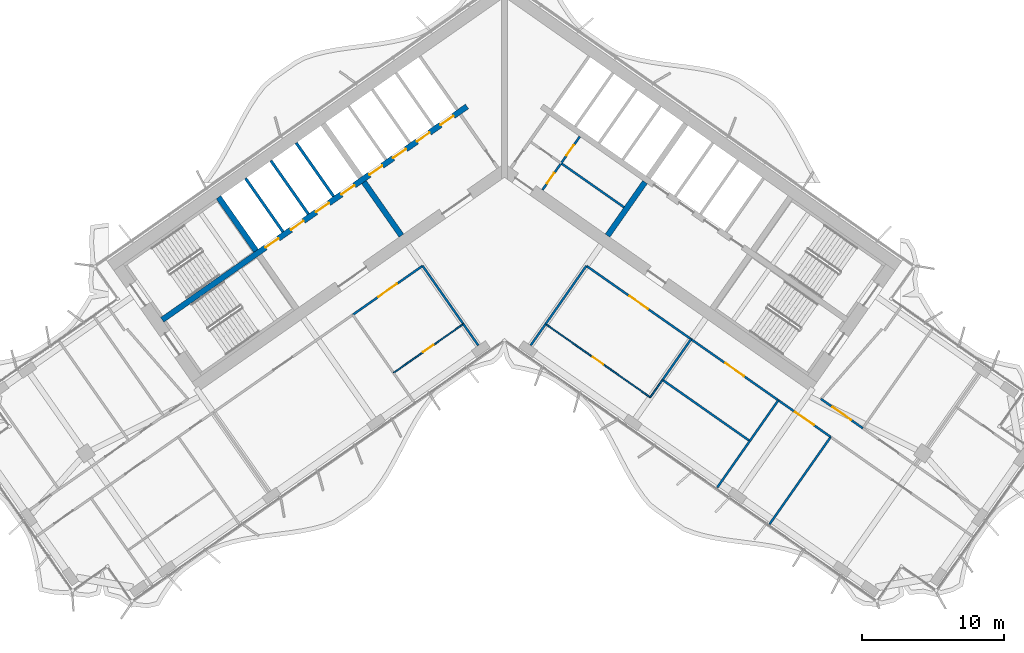
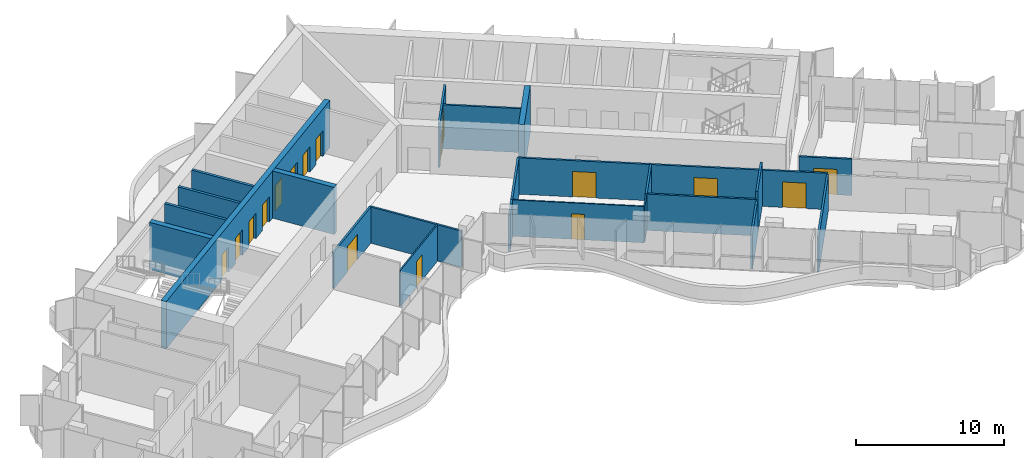
# One storey, part 15 of 23: 26 walls, 17 doors, 17 openings.
"""IFC4 building model written with IfcOpenShell, lengths in metres."""

from ifc_helpers import new_model, si_unit, direction, frame, frame_2d, origin, place, context, subcontext, project, spatial, polyline, rectangle, outline, extrude, material, layer, layer_set, type_object, element, fill, save


model = new_model("IFC4")

# Units and contexts
model_context = context("Model", 3, precision=1e-05, world=origin(), true_north=direction((0.0, 1.0)))
body_context = subcontext(model_context, "Body", "Model", "MODEL_VIEW")
ifc_project = project(units=[si_unit("LENGTHUNIT", "METRE"), si_unit("AREAUNIT", "SQUARE_METRE"), si_unit("VOLUMEUNIT", "CUBIC_METRE"), si_unit("PLANEANGLEUNIT", "RADIAN"), si_unit("MASSUNIT", "GRAM", prefix="KILO")], contexts=[model_context])

# Site, building, storey
site_placement = place(None, origin())
site = spatial("IfcSite", under=ifc_project, at=site_placement, CompositionType="ELEMENT")
building_placement = place(site_placement, origin())
building = spatial("IfcBuilding", under=site, at=building_placement, Name="Tel Ilan Convention Tower", CompositionType="ELEMENT")
storey_placement = place(building_placement, frame((0.0, 0.0, 174.89990234375)))
storey = spatial("IfcBuildingStorey", under=building, at=storey_placement, Name="L40", CompositionType="ELEMENT", Elevation=174.89990234375)

# Wall, openings, doors
ifc_material_1 = material(Name="Gypsum Plasterboard on Steel Stud", Category="steel")
ifc_layer_1 = layer(ifc_material_1, 0.14990234375)
ifc_layer_set_1 = layer_set([ifc_layer_1], Name="Core Room Partition Wall 150 mm EI 60")
wall_type_1 = type_object("IfcWallType", Name="Core Room Partition Wall 150 mm EI 60", PredefinedType="PARTITIONING", material=ifc_layer_set_1)
wall_1_placement = place(storey_placement, frame((2.67041015625, -2.114013671875, 0.0), z_axis=(0.0, 0.0, 1.0), x_axis=(0.573576324356, 0.819152122709, 0.0)))
wall_1 = element("IfcWall", 1, at=wall_1_placement, inside=storey, type_object=wall_type_1, Name="L40 core wall wc-v1", PredefinedType="PARTITIONING", context=body_context, shape_type="SweptSolid", body=[
    extrude(rectangle(XDim=4.599853515625, YDim=0.14990234375, at=frame_2d((2.2998046875, 0.0))), origin(), (0.0, 0.0, 1.0), 3.6201171875),
])
opening_1_placement = place(wall_1_placement, frame((0.550048828125, 0.0, 0.0)))
opening_1 = element("IfcOpeningElement", 2, at=opening_1_placement, cuts=wall_1, Name="Opening CD3109", PredefinedType="OPENING", context=body_context, shape_type="SweptSolid", body=[
    extrude(rectangle(XDim=0.89990234375, YDim=2.10009765625, at=frame_2d((0.449951171875, 1.050048828125))), frame((0.0, 0.0849609375, 0.0), z_axis=(0.0, -1.0, 0.0), x_axis=(1.0, 0.0, 0.0)), (0.0, 0.0, 1.0), 0.169921875),
])
opening_2_placement = place(wall_1_placement, frame((2.949951171875, 0.0, 0.0)))
opening_2 = element("IfcOpeningElement", 3, at=opening_2_placement, cuts=wall_1, Name="Opening CD3110", PredefinedType="OPENING", context=body_context, shape_type="SweptSolid", body=[
    extrude(rectangle(XDim=0.89990234375, YDim=2.10009765625, at=frame_2d((0.449951171875, 1.050048828125))), frame((0.0, 0.0849609375, 0.0), z_axis=(0.0, -1.0, 0.0), x_axis=(1.0, 0.0, 0.0)), (0.0, 0.0, 1.0), 0.169921875),
])
ifc_material_2 = material(Name="Laminated Timber Door Leaf", Category="wood")
door_type_1 = type_object("IfcDoorType", Name="Toilet Door 900 x 2100 FD30S", OperationType="NOTDEFINED", PredefinedType="DOOR", material=ifc_material_2)
door_1_placement = place(opening_1_placement, origin())
door_1 = element("IfcDoor", 4, at=door_1_placement, inside=storey, type_object=door_type_1, Name="Women's WC door", OperationType="SINGLE_SWING_RIGHT", OverallHeight=2.10009765625, OverallWidth=0.89990234375, PredefinedType="DOOR", context=body_context, shape_type="SweptSolid", body=[
    extrude(rectangle(XDim=0.89990234375, YDim=2.10009765625, at=frame_2d((0.449951171875, 1.050048828125))), frame((0.0, 0.02490234375, 0.0), z_axis=(0.0, -1.0, 0.0), x_axis=(1.0, 0.0, 0.0)), (0.0, 0.0, 1.0), 0.050048828125),
])
fill(opening_1, door_1)
door_2_placement = place(opening_2_placement, origin())
door_2 = element("IfcDoor", 5, at=door_2_placement, inside=storey, type_object=door_type_1, Name="Men's WC door", OperationType="SINGLE_SWING_RIGHT", OverallHeight=2.10009765625, OverallWidth=0.89990234375, PredefinedType="DOOR", context=body_context, shape_type="SweptSolid", body=[
    extrude(rectangle(XDim=0.89990234375, YDim=2.10009765625, at=frame_2d((0.449951171875, 1.050048828125))), frame((0.0, 0.02490234375, 0.0), z_axis=(0.0, -1.0, 0.0), x_axis=(1.0, 0.0, 0.0)), (0.0, 0.0, 1.0), 0.050048828125),
])
fill(opening_2, door_2)

# Walls
wall_2_placement = place(storey_placement, frame((3.989501953125, -0.22998046875, 0.0), z_axis=(0.0, 0.0, 1.0), x_axis=(0.819153326956, -0.573574604508, 0.0)))
element("IfcWall", 6, at=wall_2_placement, inside=storey, type_object=wall_type_1, Name="L40 core wall wc-h2", PredefinedType="PARTITIONING", context=body_context, shape_type="SweptSolid", body=[
    extrude(rectangle(XDim=5.400146484375, YDim=0.14990234375, at=frame_2d((2.7001953125, 0.0))), origin(), (0.0, 0.0, 1.0), 3.6201171875),
])
ifc_material_3 = material(Name="Concrete C50/60", Category="concrete")
ifc_layer_2 = layer(ifc_material_3, 0.39990234375)
ifc_layer_set_2 = layer_set([ifc_layer_2], Name="Core Shear Wall 400 mm C50/60")
wall_type_2 = type_object("IfcWallType", Name="Core Shear Wall 400 mm C50/60", PredefinedType="SHEAR", material=ifc_layer_set_2)
wall_3_placement = place(storey_placement, frame((-7.2578125, -5.325927734375, 0.0), z_axis=(0.0, 0.0, 1.0), x_axis=(-0.573540709186, 0.819177059558, 0.0)))
element("IfcWall", 7, at=wall_3_placement, inside=storey, type_object=wall_type_2, Name="L40 core wall W-cross1-1", PredefinedType="SHEAR", context=body_context, shape_type="SweptSolid", body=[
    extrude(outline(polyline([(4.599853515625, 0.2001953125), (-0.000244140625, 0.199951171875), (-0.000244140625, -0.2001953125), (4.599853515625, -0.199951171875), (4.599853515625, 0.2001953125)])), origin(), (0.0, 0.0, 1.0), 3.900146484375),
])
wall_4_placement = place(storey_placement, frame((-17.497802734375, -6.392333984375, 0.0), z_axis=(0.0, 0.0, 1.0), x_axis=(-0.573611936273, 0.819127185829, 0.0)))
element("IfcWall", 8, at=wall_4_placement, inside=storey, type_object=wall_type_2, Name="L40 core wall W-cross2-2", PredefinedType="SHEAR", context=body_context, shape_type="SweptSolid", body=[
    extrude(outline(polyline([(4.599853515625, -0.2001953125), (4.599853515625, 0.199951171875), (0.0, 0.2001953125), (0.0, -0.199951171875), (4.599853515625, -0.2001953125)])), origin(), (0.0, 0.0, 1.0), 3.900146484375),
])

# Wall, openings, doors
wall_5_placement = place(storey_placement, frame((-2.638427734375, 3.76806640625, 0.0), z_axis=(0.0, 0.0, 1.0), x_axis=(-0.81915267502, -0.573575535572, 0.0)))
wall_5 = element("IfcWall", 9, at=wall_5_placement, inside=storey, type_object=wall_type_2, Name="L40 core wall W-spine", PredefinedType="SHEAR", context=body_context, shape_type="SweptSolid", body=[
    extrude(outline(polyline([(26.199951171875, 0.199951171875), (0.0, 0.199951171875), (0.0, -0.199951171875), (26.199951171875, -0.199951171875), (26.199951171875, 0.199951171875)])), origin(), (0.0, 0.0, 1.0), 3.900146484375),
])
opening_3_placement = place(wall_5_placement, frame((1.168701171875, 0.0, 0.0)))
opening_3 = element("IfcOpeningElement", 10, at=opening_3_placement, cuts=wall_5, Name="Opening LD3104", PredefinedType="OPENING", context=body_context, shape_type="SweptSolid", body=[
    extrude(rectangle(XDim=1.10009765625, YDim=2.10009765625, at=frame_2d((0.550048828125, 1.050048828125))), frame((0.0, 0.2099609375, 0.0), z_axis=(0.0, -1.0, 0.0), x_axis=(1.0, 0.0, 0.0)), (0.0, 0.0, 1.0), 0.419921875),
])
opening_4_placement = place(wall_5_placement, frame((3.206298828125, 0.0, 0.0)))
opening_4 = element("IfcOpeningElement", 11, at=opening_4_placement, cuts=wall_5, Name="Opening LD3105", PredefinedType="OPENING", context=body_context, shape_type="SweptSolid", body=[
    extrude(rectangle(XDim=1.10009765625, YDim=2.10009765625, at=frame_2d((0.550048828125, 1.050048828125))), frame((0.0, 0.2099609375, 0.0), z_axis=(0.0, -1.0, 0.0), x_axis=(1.0, 0.0, 0.0)), (0.0, 0.0, 1.0), 0.419921875),
])
opening_5_placement = place(wall_5_placement, frame((5.24365234375, 0.0, 0.0)))
opening_5 = element("IfcOpeningElement", 12, at=opening_5_placement, cuts=wall_5, Name="Opening LD3106", PredefinedType="OPENING", context=body_context, shape_type="SweptSolid", body=[
    extrude(rectangle(XDim=1.10009765625, YDim=2.10009765625, at=frame_2d((0.550048828125, 1.050048828125))), frame((0.0, 0.2099609375, 0.0), z_axis=(0.0, -1.0, 0.0), x_axis=(1.0, 0.0, 0.0)), (0.0, 0.0, 1.0), 0.419921875),
])
opening_6_placement = place(wall_5_placement, frame((7.28125, 0.0, 0.0)))
opening_6 = element("IfcOpeningElement", 13, at=opening_6_placement, cuts=wall_5, Name="Opening LD3107", PredefinedType="OPENING", context=body_context, shape_type="SweptSolid", body=[
    extrude(rectangle(XDim=1.10009765625, YDim=2.10009765625, at=frame_2d((0.550048828125, 1.050048828125))), frame((0.0, 0.2099609375, 0.0), z_axis=(0.0, -1.0, 0.0), x_axis=(1.0, 0.0, 0.0)), (0.0, 0.0, 1.0), 0.419921875),
])
opening_7_placement = place(wall_5_placement, frame((9.6875, 0.0, 0.0)))
opening_7 = element("IfcOpeningElement", 14, at=opening_7_placement, cuts=wall_5, Name="Opening LD3108", PredefinedType="OPENING", context=body_context, shape_type="SweptSolid", body=[
    extrude(rectangle(XDim=1.10009765625, YDim=2.10009765625, at=frame_2d((0.550048828125, 1.050048828125))), frame((0.0, 0.2099609375, 0.0), z_axis=(0.0, -1.0, 0.0), x_axis=(1.0, 0.0, 0.0)), (0.0, 0.0, 1.0), 0.419921875),
])
opening_8_placement = place(wall_5_placement, frame((11.862548828125, 0.0, 0.0)))
opening_8 = element("IfcOpeningElement", 15, at=opening_8_placement, cuts=wall_5, Name="Opening LD3109", PredefinedType="OPENING", context=body_context, shape_type="SweptSolid", body=[
    extrude(rectangle(XDim=1.10009765625, YDim=2.10009765625, at=frame_2d((0.550048828125, 1.050048828125))), frame((0.0, 0.2099609375, 0.0), z_axis=(0.0, -1.0, 0.0), x_axis=(1.0, 0.0, 0.0)), (0.0, 0.0, 1.0), 0.419921875),
])
opening_9_placement = place(wall_5_placement, frame((14.03759765625, 0.0, 0.0)))
opening_9 = element("IfcOpeningElement", 16, at=opening_9_placement, cuts=wall_5, Name="Opening LD3110", PredefinedType="OPENING", context=body_context, shape_type="SweptSolid", body=[
    extrude(rectangle(XDim=1.10009765625, YDim=2.10009765625, at=frame_2d((0.550048828125, 1.050048828125))), frame((0.0, 0.2099609375, 0.0), z_axis=(0.0, -1.0, 0.0), x_axis=(1.0, 0.0, 0.0)), (0.0, 0.0, 1.0), 0.419921875),
])
opening_10_placement = place(wall_5_placement, frame((16.21240234375, 0.0, 0.0)))
opening_10 = element("IfcOpeningElement", 17, at=opening_10_placement, cuts=wall_5, Name="Opening LD3111", PredefinedType="OPENING", context=body_context, shape_type="SweptSolid", body=[
    extrude(rectangle(XDim=1.10009765625, YDim=2.10009765625, at=frame_2d((0.550048828125, 1.050048828125))), frame((0.0, 0.2099609375, 0.0), z_axis=(0.0, -1.0, 0.0), x_axis=(1.0, 0.0, 0.0)), (0.0, 0.0, 1.0), 0.419921875),
])
ifc_material_4 = material(Name="Stainless Steel Sliding Door Leaf", Category="steel")
door_type_2 = type_object("IfcDoorType", Name="Lift Landing Door 1100 x 2100 FD120", OperationType="NOTDEFINED", PredefinedType="DOOR", material=ifc_material_4)
door_3_placement = place(opening_3_placement, origin())
door_3 = element("IfcDoor", 18, at=door_3_placement, inside=storey, type_object=door_type_2, Name="Lift LR1 landing door", OperationType="SLIDING_TO_LEFT", OverallHeight=2.10009765625, OverallWidth=1.10009765625, PredefinedType="DOOR", context=body_context, shape_type="SweptSolid", body=[
    extrude(rectangle(XDim=1.10009765625, YDim=2.10009765625, at=frame_2d((0.550048828125, 1.050048828125))), frame((0.0, 0.02490234375, 0.0), z_axis=(0.0, -1.0, 0.0), x_axis=(1.0, 0.0, 0.0)), (0.0, 0.0, 1.0), 0.050048828125),
])
fill(opening_3, door_3)
door_4_placement = place(opening_4_placement, origin())
door_4 = element("IfcDoor", 19, at=door_4_placement, inside=storey, type_object=door_type_2, Name="Lift LR2 landing door", OperationType="SLIDING_TO_RIGHT", OverallHeight=2.10009765625, OverallWidth=1.10009765625, PredefinedType="DOOR", context=body_context, shape_type="SweptSolid", body=[
    extrude(rectangle(XDim=1.10009765625, YDim=2.10009765625, at=frame_2d((0.550048828125, 1.050048828125))), frame((0.0, 0.02490234375, 0.0), z_axis=(0.0, -1.0, 0.0), x_axis=(1.0, 0.0, 0.0)), (0.0, 0.0, 1.0), 0.050048828125),
])
fill(opening_4, door_4)
door_5_placement = place(opening_5_placement, origin())
door_5 = element("IfcDoor", 20, at=door_5_placement, inside=storey, type_object=door_type_2, Name="Lift LR3 landing door", OperationType="SLIDING_TO_LEFT", OverallHeight=2.10009765625, OverallWidth=1.10009765625, PredefinedType="DOOR", context=body_context, shape_type="SweptSolid", body=[
    extrude(rectangle(XDim=1.10009765625, YDim=2.10009765625, at=frame_2d((0.550048828125, 1.050048828125))), frame((0.0, 0.02490234375, 0.0), z_axis=(0.0, -1.0, 0.0), x_axis=(1.0, 0.0, 0.0)), (0.0, 0.0, 1.0), 0.050048828125),
])
fill(opening_5, door_5)
door_6_placement = place(opening_6_placement, origin())
door_6 = element("IfcDoor", 21, at=door_6_placement, inside=storey, type_object=door_type_2, Name="Lift LR4 landing door", OperationType="SLIDING_TO_RIGHT", OverallHeight=2.10009765625, OverallWidth=1.10009765625, PredefinedType="DOOR", context=body_context, shape_type="SweptSolid", body=[
    extrude(rectangle(XDim=1.10009765625, YDim=2.10009765625, at=frame_2d((0.550048828125, 1.050048828125))), frame((0.0, 0.02490234375, 0.0), z_axis=(0.0, -1.0, 0.0), x_axis=(1.0, 0.0, 0.0)), (0.0, 0.0, 1.0), 0.050048828125),
])
fill(opening_6, door_6)
door_7_placement = place(opening_7_placement, origin())
door_7 = element("IfcDoor", 22, at=door_7_placement, inside=storey, type_object=door_type_2, Name="Lift LR5 landing door", OperationType="SLIDING_TO_LEFT", OverallHeight=2.10009765625, OverallWidth=1.10009765625, PredefinedType="DOOR", context=body_context, shape_type="SweptSolid", body=[
    extrude(rectangle(XDim=1.10009765625, YDim=2.10009765625, at=frame_2d((0.550048828125, 1.050048828125))), frame((0.0, 0.02490234375, 0.0), z_axis=(0.0, -1.0, 0.0), x_axis=(1.0, 0.0, 0.0)), (0.0, 0.0, 1.0), 0.050048828125),
])
fill(opening_7, door_7)
door_8_placement = place(opening_8_placement, origin())
door_8 = element("IfcDoor", 23, at=door_8_placement, inside=storey, type_object=door_type_2, Name="Lift LR6 landing door", OperationType="SLIDING_TO_RIGHT", OverallHeight=2.10009765625, OverallWidth=1.10009765625, PredefinedType="DOOR", context=body_context, shape_type="SweptSolid", body=[
    extrude(rectangle(XDim=1.10009765625, YDim=2.10009765625, at=frame_2d((0.550048828125, 1.050048828125))), frame((0.0, 0.02490234375, 0.0), z_axis=(0.0, -1.0, 0.0), x_axis=(1.0, 0.0, 0.0)), (0.0, 0.0, 1.0), 0.050048828125),
])
fill(opening_8, door_8)
door_9_placement = place(opening_9_placement, origin())
door_9 = element("IfcDoor", 24, at=door_9_placement, inside=storey, type_object=door_type_2, Name="Lift LR7 landing door", OperationType="SLIDING_TO_LEFT", OverallHeight=2.10009765625, OverallWidth=1.10009765625, PredefinedType="DOOR", context=body_context, shape_type="SweptSolid", body=[
    extrude(rectangle(XDim=1.10009765625, YDim=2.10009765625, at=frame_2d((0.550048828125, 1.050048828125))), frame((0.0, 0.02490234375, 0.0), z_axis=(0.0, -1.0, 0.0), x_axis=(1.0, 0.0, 0.0)), (0.0, 0.0, 1.0), 0.050048828125),
])
fill(opening_9, door_9)
door_10_placement = place(opening_10_placement, origin())
door_10 = element("IfcDoor", 25, at=door_10_placement, inside=storey, type_object=door_type_2, Name="Lift LR8 landing door", OperationType="SLIDING_TO_RIGHT", OverallHeight=2.10009765625, OverallWidth=1.10009765625, PredefinedType="DOOR", context=body_context, shape_type="SweptSolid", body=[
    extrude(rectangle(XDim=1.10009765625, YDim=2.10009765625, at=frame_2d((0.550048828125, 1.050048828125))), frame((0.0, 0.02490234375, 0.0), z_axis=(0.0, -1.0, 0.0), x_axis=(1.0, 0.0, 0.0)), (0.0, 0.0, 1.0), 0.050048828125),
])
fill(opening_10, door_10)

# Wall
wall_6_placement = place(storey_placement, frame((7.2578125, -5.325927734375, 0.0), z_axis=(0.0, 0.0, 1.0), x_axis=(0.573540709186, 0.819177059558, 0.0)))
element("IfcWall", 26, at=wall_6_placement, inside=storey, type_object=wall_type_2, Name="L40 core wall E-cross1-1", PredefinedType="SHEAR", context=body_context, shape_type="SweptSolid", body=[
    extrude(outline(polyline([(-0.000244140625, 0.2001953125), (-0.000244140625, -0.199951171875), (4.599853515625, -0.2001953125), (4.599853515625, 0.199951171875), (-0.000244140625, 0.2001953125)])), origin(), (0.0, 0.0, 1.0), 3.900146484375),
])

# Wall, opening, door
ifc_material_5 = material(Name="Plasterboard on Steel Studs", Category="steel")
ifc_layer_3 = layer(ifc_material_5, 0.14990234375)
ifc_layer_set_3 = layer_set([ifc_layer_3], Name="Fire-rated Partition 150 EI 60")
wall_type_3 = type_object("IfcWallType", Name="Fire-rated Partition 150 EI 60", PredefinedType="PARTITIONING", material=ifc_layer_set_3)
wall_7_placement = place(storey_placement, frame((22.283203125, -16.82373046875, 0.0), z_axis=(0.0, 0.0, 1.0), x_axis=(0.819174552658, -0.573544289726, 0.0)))
wall_7 = element("IfcWall", 27, at=wall_7_placement, inside=storey, type_object=wall_type_3, Name="Partition 001", PredefinedType="PARTITIONING", context=body_context, shape_type="SweptSolid", body=[
    extrude(rectangle(XDim=3.59912109375, YDim=0.14990234375, at=frame_2d((1.799560546875, 0.0))), origin(), (0.0, 0.0, 1.0), 3.0),
])
opening_11_placement = place(wall_7_placement, frame((0.99951171875, 0.0, 0.0)))
opening_11 = element("IfcOpeningElement", 28, at=opening_11_placement, cuts=wall_7, Name="Opening L39-017", PredefinedType="OPENING", context=body_context, shape_type="SweptSolid", body=[
    extrude(rectangle(XDim=1.60009765625, YDim=2.10009765625, at=frame_2d((0.800048828125, 1.050048828125))), frame((0.0, 0.0849609375, 0.0), z_axis=(0.0, -1.0, 0.0), x_axis=(1.0, 0.0, 0.0)), (0.0, 0.0, 1.0), 0.169921875),
])
ifc_material_6 = material(Name="Timber Door Leaf in Steel Frame", Category="steel")
door_type_3 = type_object("IfcDoorType", Name="Tenant Suite Entrance Fire Door 1600x2100", OperationType="NOTDEFINED", PredefinedType="DOOR", material=ifc_material_6)
door_11_placement = place(opening_11_placement, origin())
door_11 = element("IfcDoor", 29, at=door_11_placement, inside=storey, type_object=door_type_3, Name="Door L39-017", OperationType="DOUBLE_DOOR_SINGLE_SWING", OverallHeight=2.10009765625, OverallWidth=1.60009765625, PredefinedType="DOOR", context=body_context, shape_type="SweptSolid", body=[
    extrude(rectangle(XDim=1.60009765625, YDim=2.10009765625, at=frame_2d((0.800048828125, 1.050048828125))), frame((0.0, 0.02490234375, 0.0), z_axis=(0.0, -1.0, 0.0), x_axis=(1.0, 0.0, 0.0)), (0.0, 0.0, 1.0), 0.050048828125),
])
fill(opening_11, door_11)

wall_8_placement = place(storey_placement, frame((13.140380859375, -12.619140625, 0.0), z_axis=(0.0, 0.0, 1.0), x_axis=(-0.81915291695, 0.57357519006, 0.0)))
wall_8 = element("IfcWall", 30, at=wall_8_placement, inside=storey, type_object=wall_type_3, Name="Partition 004", PredefinedType="PARTITIONING", context=body_context, shape_type="SweptSolid", body=[
    extrude(rectangle(XDim=9.001953125, YDim=0.14990234375, at=frame_2d((4.5009765625, 0.0))), origin(), (0.0, 0.0, 1.0), 3.0),
])
opening_12_placement = place(wall_8_placement, frame((3.700927734375, 0.0, 0.0)))
opening_12 = element("IfcOpeningElement", 31, at=opening_12_placement, cuts=wall_8, Name="Opening L39-012", PredefinedType="OPENING", context=body_context, shape_type="SweptSolid", body=[
    extrude(rectangle(XDim=1.60009765625, YDim=2.10009765625, at=frame_2d((0.800048828125, 1.050048828125))), frame((0.0, 0.0849609375, 0.0), z_axis=(0.0, -1.0, 0.0), x_axis=(1.0, 0.0, 0.0)), (0.0, 0.0, 1.0), 0.169921875),
])
door_12_placement = place(opening_12_placement, origin())
door_12 = element("IfcDoor", 32, at=door_12_placement, inside=storey, type_object=door_type_3, Name="Door L39-012", OperationType="DOUBLE_DOOR_SINGLE_SWING", OverallHeight=2.10009765625, OverallWidth=1.60009765625, PredefinedType="DOOR", context=body_context, shape_type="SweptSolid", body=[
    extrude(rectangle(XDim=1.60009765625, YDim=2.10009765625, at=frame_2d((0.800048828125, 1.050048828125))), frame((0.0, 0.02490234375, 0.0), z_axis=(0.0, -1.0, 0.0), x_axis=(1.0, 0.0, 0.0)), (0.0, 0.0, 1.0), 0.050048828125),
])
fill(opening_12, door_12)

wall_9_placement = place(storey_placement, frame((19.283935546875, -16.9208984375, 0.0), z_axis=(0.0, 0.0, 1.0), x_axis=(-0.819153958035, 0.573573703229, 0.0)))
wall_9 = element("IfcWall", 33, at=wall_9_placement, inside=storey, type_object=wall_type_3, Name="Partition 005", PredefinedType="PARTITIONING", context=body_context, shape_type="SweptSolid", body=[
    extrude(rectangle(XDim=7.503662109375, YDim=0.14990234375, at=frame_2d((3.751953125, 0.0))), origin(), (0.0, 0.0, 1.0), 3.0),
])
opening_13_placement = place(wall_9_placement, frame((2.951904296875, 0.0, 0.0)))
opening_13 = element("IfcOpeningElement", 34, at=opening_13_placement, cuts=wall_9, Name="Opening L39-014", PredefinedType="OPENING", context=body_context, shape_type="SweptSolid", body=[
    extrude(rectangle(XDim=1.60009765625, YDim=2.10009765625, at=frame_2d((0.800048828125, 1.050048828125))), frame((0.0, 0.0849609375, 0.0), z_axis=(0.0, -1.0, 0.0), x_axis=(1.0, 0.0, 0.0)), (0.0, 0.0, 1.0), 0.169921875),
])
door_13_placement = place(opening_13_placement, origin())
door_13 = element("IfcDoor", 35, at=door_13_placement, inside=storey, type_object=door_type_3, Name="Door L39-014", OperationType="DOUBLE_DOOR_SINGLE_SWING", OverallHeight=2.10009765625, OverallWidth=1.60009765625, PredefinedType="DOOR", context=body_context, shape_type="SweptSolid", body=[
    extrude(rectangle(XDim=1.60009765625, YDim=2.10009765625, at=frame_2d((0.800048828125, 1.050048828125))), frame((0.0, 0.02490234375, 0.0), z_axis=(0.0, -1.0, 0.0), x_axis=(1.0, 0.0, 0.0)), (0.0, 0.0, 1.0), 0.050048828125),
])
fill(opening_13, door_13)

wall_10_placement = place(storey_placement, frame((22.97021484375, -19.502197265625, 0.0), z_axis=(0.0, 0.0, 1.0), x_axis=(-0.819140235121, 0.573593301221, 0.0)))
wall_10 = element("IfcWall", 36, at=wall_10_placement, inside=storey, type_object=wall_type_3, Name="Partition 006", PredefinedType="PARTITIONING", context=body_context, shape_type="SweptSolid", body=[
    extrude(rectangle(XDim=4.504150390625, YDim=0.14990234375, at=frame_2d((2.251953125, 0.0))), origin(), (0.0, 0.0, 1.0), 3.0),
])
opening_14_placement = place(wall_10_placement, frame((1.451904296875, 0.0, 0.0)))
opening_14 = element("IfcOpeningElement", 37, at=opening_14_placement, cuts=wall_10, Name="Opening L39-015", PredefinedType="OPENING", context=body_context, shape_type="SweptSolid", body=[
    extrude(rectangle(XDim=1.60009765625, YDim=2.10009765625, at=frame_2d((0.800048828125, 1.050048828125))), frame((0.0, 0.0849609375, 0.0), z_axis=(0.0, -1.0, 0.0), x_axis=(1.0, 0.0, 0.0)), (0.0, 0.0, 1.0), 0.169921875),
])
door_14_placement = place(opening_14_placement, origin())
door_14 = element("IfcDoor", 38, at=door_14_placement, inside=storey, type_object=door_type_3, Name="Door L39-015", OperationType="DOUBLE_DOOR_SINGLE_SWING", OverallHeight=2.10009765625, OverallWidth=1.60009765625, PredefinedType="DOOR", context=body_context, shape_type="SweptSolid", body=[
    extrude(rectangle(XDim=1.60009765625, YDim=2.10009765625, at=frame_2d((0.800048828125, 1.050048828125))), frame((0.0, 0.02490234375, 0.0), z_axis=(0.0, -1.0, 0.0), x_axis=(1.0, 0.0, 0.0)), (0.0, 0.0, 1.0), 0.050048828125),
])
fill(opening_14, door_14)

wall_11_placement = place(storey_placement, frame((-5.766357421875, -7.455810546875, 0.0), z_axis=(0.0, 0.0, 1.0), x_axis=(-0.819147828287, -0.573582457378, 0.0)))
wall_11 = element("IfcWall", 39, at=wall_11_placement, inside=storey, type_object=wall_type_3, Name="Partition 012", PredefinedType="PARTITIONING", context=body_context, shape_type="SweptSolid", body=[
    extrude(rectangle(XDim=6.001953125, YDim=0.14990234375, at=frame_2d((3.0009765625, 0.0))), origin(), (0.0, 0.0, 1.0), 3.0),
])
opening_15_placement = place(wall_11_placement, frame((2.200927734375, 0.0, 0.0)))
opening_15 = element("IfcOpeningElement", 40, at=opening_15_placement, cuts=wall_11, Name="Opening L39-001", PredefinedType="OPENING", context=body_context, shape_type="SweptSolid", body=[
    extrude(rectangle(XDim=1.60009765625, YDim=2.10009765625, at=frame_2d((0.800048828125, 1.050048828125))), frame((0.0, 0.0849609375, 0.0), z_axis=(0.0, -1.0, 0.0), x_axis=(1.0, 0.0, 0.0)), (0.0, 0.0, 1.0), 0.169921875),
])
door_15_placement = place(opening_15_placement, origin())
door_15 = element("IfcDoor", 41, at=door_15_placement, inside=storey, type_object=door_type_3, Name="Door L39-001", OperationType="DOUBLE_DOOR_SINGLE_SWING", OverallHeight=2.10009765625, OverallWidth=1.60009765625, PredefinedType="DOOR", context=body_context, shape_type="SweptSolid", body=[
    extrude(rectangle(XDim=1.60009765625, YDim=2.10009765625, at=frame_2d((0.800048828125, 1.050048828125))), frame((0.0, 0.02490234375, 0.0), z_axis=(0.0, -1.0, 0.0), x_axis=(1.0, 0.0, 0.0)), (0.0, 0.0, 1.0), 0.050048828125),
])
fill(opening_15, door_15)

# Walls
wall_12_placement = place(storey_placement, frame((11.130615234375, -15.48583984375, 0.0), z_axis=(0.0, 0.0, 1.0), x_axis=(0.819163097304, -0.573560650686, 0.0)))
element("IfcWall", 42, at=wall_12_placement, inside=storey, type_object=wall_type_3, Name="Partition 026", PredefinedType="PARTITIONING", context=body_context, shape_type="SweptSolid", body=[
    extrude(rectangle(XDim=7.5, YDim=0.14990234375, at=frame_2d((3.75, 0.0))), origin(), (0.0, 0.0, 1.0), 3.0),
])
wall_13_placement = place(storey_placement, frame((17.2744140625, -19.78759765625, 0.0), z_axis=(0.0, 0.0, 1.0), x_axis=(-0.57360163893, -0.819134396675, 0.0)))
element("IfcWall", 43, at=wall_13_placement, inside=storey, type_object=wall_type_3, Name="Partition 027", PredefinedType="PARTITIONING", context=body_context, shape_type="SweptSolid", body=[
    extrude(rectangle(XDim=3.999267578125, YDim=0.14990234375, at=frame_2d((1.99951171875, 0.0))), origin(), (0.0, 0.0, 1.0), 2.900146484375),
])
wall_14_placement = place(storey_placement, frame((1.848876953125, -13.050537109375, 0.0), z_axis=(0.0, 0.0, 1.0), x_axis=(0.573623601139, 0.819119017125, 0.0)))
element("IfcWall", 44, at=wall_14_placement, inside=storey, type_object=wall_type_3, Name="Partition 028", PredefinedType="PARTITIONING", context=body_context, shape_type="SweptSolid", body=[
    extrude(rectangle(XDim=1.828857421875, YDim=0.14990234375, at=frame_2d((0.91455078125, 0.0))), origin(), (0.0, 0.0, 1.0), 3.0),
])
wall_15_placement = place(storey_placement, frame((13.138671875, -12.617919921875, 0.0), z_axis=(0.0, 0.0, 1.0), x_axis=(-0.573523165603, -0.819189342287, 0.0)))
element("IfcWall", 45, at=wall_15_placement, inside=storey, type_object=wall_type_3, Name="Partition 029", PredefinedType="PARTITIONING", context=body_context, shape_type="SweptSolid", body=[
    extrude(rectangle(XDim=3.502197265625, YDim=0.14990234375, at=frame_2d((1.7509765625, 0.0))), origin(), (0.0, 0.0, 1.0), 3.0),
])
wall_16_placement = place(storey_placement, frame((2.8984375, -11.551513671875, 0.0), z_axis=(0.0, 0.0, 1.0), x_axis=(0.573586866468, 0.819144740944, 0.0)))
element("IfcWall", 46, at=wall_16_placement, inside=storey, type_object=wall_type_3, Name="Partition 030", PredefinedType="PARTITIONING", context=body_context, shape_type="SweptSolid", body=[
    extrude(rectangle(XDim=5.0, YDim=0.14990234375, at=frame_2d((2.5, 0.0))), origin(), (0.0, 0.0, 1.0), 3.0),
])
wall_17_placement = place(storey_placement, frame((19.282470703125, -16.919921875, 0.0), z_axis=(0.0, 0.0, 1.0), x_axis=(-0.573598101901, -0.81913687348, 0.0)))
element("IfcWall", 47, at=wall_17_placement, inside=storey, type_object=wall_type_3, Name="Partition 031", PredefinedType="PARTITIONING", context=body_context, shape_type="SweptSolid", body=[
    extrude(rectangle(XDim=3.5, YDim=0.14990234375, at=frame_2d((1.75, 0.0))), origin(), (0.0, 0.0, 1.0), 3.6201171875),
])
wall_18_placement = place(storey_placement, frame((22.968505859375, -19.5009765625, 0.0), z_axis=(0.0, 0.0, 1.0), x_axis=(-0.573575945067, -0.81915238829, 0.0)))
element("IfcWall", 48, at=wall_18_placement, inside=storey, type_object=wall_type_3, Name="Partition 032", PredefinedType="PARTITIONING", context=body_context, shape_type="SweptSolid", body=[
    extrude(rectangle(XDim=7.5, YDim=0.14990234375, at=frame_2d((3.75, 0.0))), origin(), (0.0, 0.0, 1.0), 2.900146484375),
])
wall_19_placement = place(storey_placement, frame((-1.848876953125, -13.050537109375, 0.0), z_axis=(0.0, 0.0, 1.0), x_axis=(-0.573542889209, 0.819175533227, 0.0)))
element("IfcWall", 49, at=wall_19_placement, inside=storey, type_object=wall_type_3, Name="Partition 033", PredefinedType="PARTITIONING", context=body_context, shape_type="SweptSolid", body=[
    extrude(rectangle(XDim=1.830810546875, YDim=0.14990234375, at=frame_2d((0.91552734375, 0.0))), origin(), (0.0, 0.0, 1.0), 3.0),
])
wall_20_placement = place(storey_placement, frame((-2.897216796875, -11.55322265625, 0.0), z_axis=(0.0, 0.0, 1.0), x_axis=(-0.573593309886, 0.819140229054, 0.0)))
element("IfcWall", 50, at=wall_20_placement, inside=storey, type_object=wall_type_3, Name="Partition 034", PredefinedType="PARTITIONING", context=body_context, shape_type="SweptSolid", body=[
    extrude(rectangle(XDim=5.004150390625, YDim=0.14990234375, at=frame_2d((2.501953125, 0.0))), origin(), (0.0, 0.0, 1.0), 3.0),
])
ifc_material_7 = material(Name="Concrete C30/37", Category="concrete")
ifc_layer_4 = layer(ifc_material_7, 0.199951171875)
ifc_layer_set_4 = layer_set([ifc_layer_4], Name="Lift Shaft Wall 200 mm C30/37")
wall_type_4 = type_object("IfcWallType", Name="Lift Shaft Wall 200 mm C30/37", PredefinedType="SOLIDWALL", material=ifc_layer_set_4)
for number, where, z_axis, x_axis, name in (
    (51, (-12.030029296875, -2.563720703125, 0.0), (0.0, 0.0, 1.0), (-0.573576324356, 0.819152122709, 0.0), "L40 core wall bank-W2-p0"),
    (52, (-13.811767578125, -3.811279296875, 0.0), (0.0, 0.0, 1.0), (-0.573576324356, 0.819152122709, 0.0), "L40 core wall bank-W2-p1"),
    (53, (-15.593505859375, -5.058837890625, 0.0), (0.0, 0.0, 1.0), (-0.573540709186, 0.819177059558, 0.0), "L40 core wall bank-W2-p2"),
):
    element("IfcWall", number, at=place(storey_placement, frame(where, z_axis=z_axis, x_axis=x_axis)), inside=storey, type_object=wall_type_4, Name=name, PredefinedType="SOLIDWALL", context=body_context, shape_type="SweptSolid", body=[
        extrude(rectangle(XDim=4.599853515625, YDim=0.199951171875, at=frame_2d((2.2998046875, 0.0))), origin(), (0.0, 0.0, 1.0), 3.900146484375),
    ])
ifc_material_8 = material(Name="Plasterboard on Steel Studs", Category="steel")
ifc_layer_5 = layer(ifc_material_8, 0.10009765625)
ifc_layer_set_5 = layer_set([ifc_layer_5], Name="Plasterboard Partition 100")
wall_type_5 = type_object("IfcWallType", Name="Plasterboard Partition 100", PredefinedType="PARTITIONING", material=ifc_layer_set_5)
wall_21_placement = place(storey_placement, frame((11.130615234375, -15.48583984375, 0.0), z_axis=(0.0, 0.0, 1.0), x_axis=(-0.573560650686, -0.819163097304, 0.0)))
element("IfcWall", 54, at=wall_21_placement, inside=storey, type_object=wall_type_5, Name="Partition 024", PredefinedType="PARTITIONING", context=body_context, shape_type="SweptSolid", body=[
    extrude(rectangle(XDim=1.5, YDim=0.10009765625, at=frame_2d((0.75, 0.0))), origin(), (0.0, 0.0, 1.0), 3.0),
])

# Wall, opening, door
wall_22_placement = place(storey_placement, frame((10.270263671875, -16.714599609375, 0.0), z_axis=(0.0, 0.0, 1.0), x_axis=(-0.819154173185, 0.573573395961, 0.0)))
wall_22 = element("IfcWall", 55, at=wall_22_placement, inside=storey, type_object=wall_type_5, Name="Partition 025", PredefinedType="PARTITIONING", context=body_context, shape_type="SweptSolid", body=[
    extrude(rectangle(XDim=9.0, YDim=0.10009765625, at=frame_2d((4.5, 0.0))), origin(), (0.0, 0.0, 1.0), 3.0),
])
opening_16_placement = place(wall_22_placement, frame((4.050048828125, 0.0, 0.0)))
opening_16 = element("IfcOpeningElement", 56, at=opening_16_placement, cuts=wall_22, Name="Opening L39-013", PredefinedType="OPENING", context=body_context, shape_type="SweptSolid", body=[
    extrude(rectangle(XDim=0.89990234375, YDim=2.10009765625, at=frame_2d((0.449951171875, 1.050048828125))), frame((0.0, 0.06005859375, 0.0), z_axis=(0.0, -1.0, 0.0), x_axis=(1.0, 0.0, 0.0)), (0.0, 0.0, 1.0), 0.1201171875),
])
ifc_material_9 = material(Name="Timber Door Leaf in Steel Frame", Category="steel")
door_type_4 = type_object("IfcDoorType", Name="Room Timber Door 900x2100", OperationType="NOTDEFINED", PredefinedType="DOOR", material=ifc_material_9)
door_16_placement = place(opening_16_placement, origin())
door_16 = element("IfcDoor", 57, at=door_16_placement, inside=storey, type_object=door_type_4, Name="Door L39-013", OperationType="SINGLE_SWING_RIGHT", OverallHeight=2.10009765625, OverallWidth=0.89990234375, PredefinedType="DOOR", context=body_context, shape_type="SweptSolid", body=[
    extrude(rectangle(XDim=0.89990234375, YDim=2.10009765625, at=frame_2d((0.449951171875, 1.050048828125))), frame((0.0, 0.02490234375, 0.0), z_axis=(0.0, -1.0, 0.0), x_axis=(1.0, 0.0, 0.0)), (0.0, 0.0, 1.0), 0.050048828125),
])
fill(opening_16, door_16)

wall_23_placement = place(storey_placement, frame((-2.89794921875, -11.552490234375, 0.0), z_axis=(0.0, 0.0, 1.0), x_axis=(-0.819149710902, -0.573579768758, 0.0)))
wall_23 = element("IfcWall", 58, at=wall_23_placement, inside=storey, type_object=wall_type_5, Name="Partition 040", PredefinedType="PARTITIONING", context=body_context, shape_type="SweptSolid", body=[
    extrude(rectangle(XDim=5.999755859375, YDim=0.10009765625, at=frame_2d((3.0, 0.0))), origin(), (0.0, 0.0, 1.0), 3.0),
])
opening_17_placement = place(wall_23_placement, frame((2.550048828125, 0.0, 0.0)))
opening_17 = element("IfcOpeningElement", 59, at=opening_17_placement, cuts=wall_23, Name="Opening L39-002", PredefinedType="OPENING", context=body_context, shape_type="SweptSolid", body=[
    extrude(rectangle(XDim=0.89990234375, YDim=2.10009765625, at=frame_2d((0.449951171875, 1.050048828125))), frame((0.0, 0.06005859375, 0.0), z_axis=(0.0, -1.0, 0.0), x_axis=(1.0, 0.0, 0.0)), (0.0, 0.0, 1.0), 0.1201171875),
])
door_17_placement = place(opening_17_placement, origin())
door_17 = element("IfcDoor", 60, at=door_17_placement, inside=storey, type_object=door_type_4, Name="Door L39-002", OperationType="SINGLE_SWING_RIGHT", OverallHeight=2.10009765625, OverallWidth=0.89990234375, PredefinedType="DOOR", context=body_context, shape_type="SweptSolid", body=[
    extrude(rectangle(XDim=0.89990234375, YDim=2.10009765625, at=frame_2d((0.449951171875, 1.050048828125))), frame((0.0, 0.02490234375, 0.0), z_axis=(0.0, -1.0, 0.0), x_axis=(1.0, 0.0, 0.0)), (0.0, 0.0, 1.0), 0.050048828125),
])
fill(opening_17, door_17)

save(model, "model.ifc")
